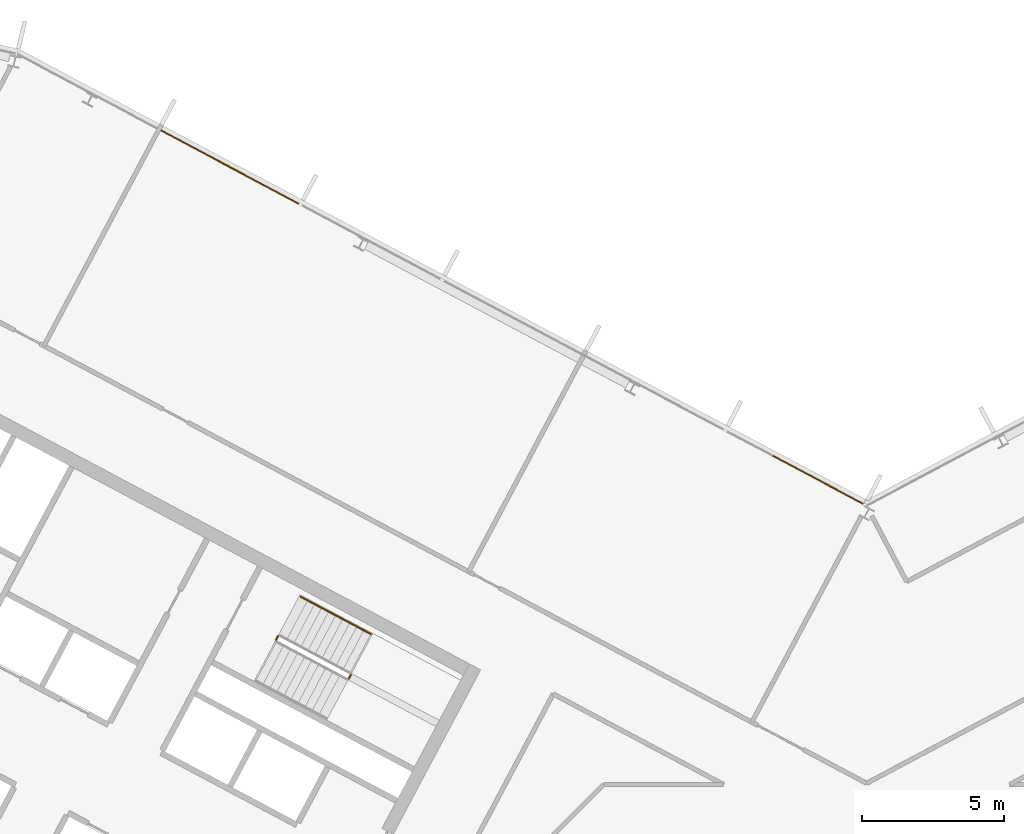
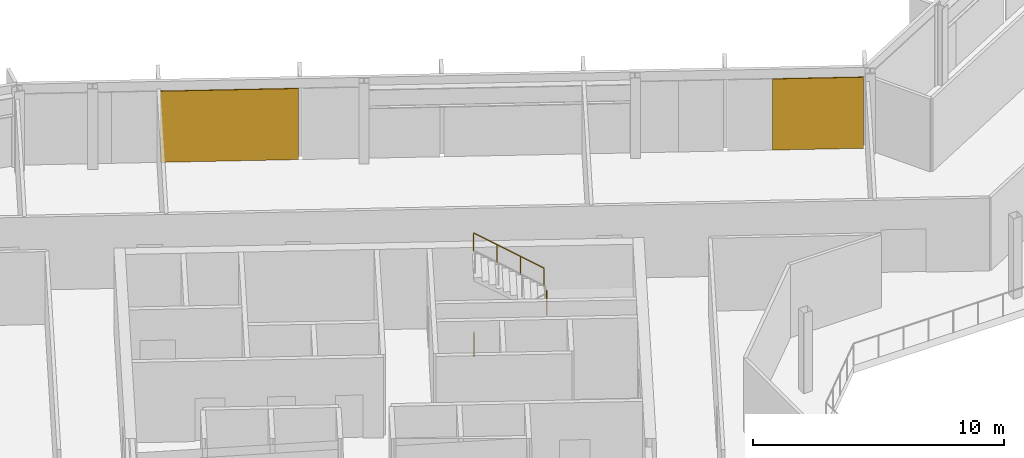
# One storey, part 23 of 26: 3 railings, 2 coverings, 1 element without a shape of its own.
"""IFC4 building model written with IfcOpenShell, lengths in metres."""

from ifc_helpers import new_model, si_unit, direction, frame, origin, origin_2d, place, context, subcontext, project, spatial, polyline, rectangle, outline, extrude, material, layer, layer_set, type_object, element, aggregate, save


model = new_model("IFC4")

# Units and contexts
model_context = context("Model", 3, precision=1e-05, world=origin(), true_north=direction((0.0, 1.0)))
body_context = subcontext(model_context, "Body", "Model", "MODEL_VIEW")
ifc_project = project(units=[si_unit("LENGTHUNIT", "METRE"), si_unit("AREAUNIT", "SQUARE_METRE"), si_unit("VOLUMEUNIT", "CUBIC_METRE"), si_unit("PLANEANGLEUNIT", "RADIAN"), si_unit("MASSUNIT", "GRAM", prefix="KILO")], contexts=[model_context])

# Site, building, storey
site_placement = place(None, origin())
site = spatial("IfcSite", under=ifc_project, at=site_placement, CompositionType="ELEMENT")
building_placement = place(site_placement, origin())
building = spatial("IfcBuilding", under=site, at=building_placement, Name="Cormorant Relay Tower", CompositionType="ELEMENT")
storey_placement = place(building_placement, frame((0.0, 0.0, 261.89990234375)))
storey = spatial("IfcBuildingStorey", under=building, at=storey_placement, Name="L58", CompositionType="ELEMENT", Elevation=261.89990234375)

# Curtain wall, coverings
ifc_material_1 = material(Name="Aluminium 6063-T6 anodised bronze", Category="aluminium")
ifc_layer_1 = layer(ifc_material_1, 0.199951171875)
ifc_layer_set_1 = layer_set([ifc_layer_1], Name="CW1 unitised bronze curtain wall with vertical fins")
curtain_wall_type = type_object("IfcCurtainWallType", Name="CW1 unitised bronze curtain wall with vertical fins", PredefinedType="NOTDEFINED", material=ifc_layer_set_1)
curtain_wall_placement = place(storey_placement, origin())
curtain_wall = element("IfcCurtainWall", 1, at=curtain_wall_placement, inside=storey, type_object=curtain_wall_type, Name="CW1 curtain wall 9", PredefinedType="NOTDEFINED")
ifc_material_2 = material(Name="Pale bronze anodised aluminium insulated panel", Category="aluminium")
ifc_layer_2 = layer(ifc_material_2, 0.0400390625)
ifc_layer_set_2 = layer_set([ifc_layer_2], Name="CW1 pale bronze insulated panel 40")
covering_type = type_object("IfcCoveringType", Name="CW1 pale bronze insulated panel 40", PredefinedType="CLADDING", material=ifc_layer_set_2)
covering_1_placement = place(storey_placement, frame((-1.718505859375, 24.720458984375, 0.0), z_axis=(0.0, 0.0, 1.0), x_axis=(-0.882947592859, 0.469471562786, 0.0)))
covering_1 = element("IfcCovering", 2, at=covering_1_placement, type_object=covering_type, Name="CW1 panel S00", PredefinedType="CLADDING", context=body_context, shape_type="SweptSolid", body=[
    extrude(rectangle(XDim=3.614013671875, YDim=0.0400390625, at=origin_2d()), origin(), (0.0, 0.0, 1.0), 3.449951171875),
])
covering_2_placement = place(storey_placement, frame((-22.39599609375, 35.714599609375, 0.0), z_axis=(0.0, 0.0, 1.0), x_axis=(-0.882947592859, 0.469471562786, 0.0)))
covering_2 = element("IfcCovering", 3, at=covering_2_placement, type_object=covering_type, Name="CW1 panel S05", PredefinedType="CLADDING", context=body_context, shape_type="SweptSolid", body=[
    extrude(rectangle(XDim=5.489013671875, YDim=0.0400390625, at=origin_2d()), origin(), (0.0, 0.0, 1.0), 3.449951171875),
])
aggregate(curtain_wall, [covering_1, covering_2])

# Railings
ifc_material_3 = material(Name="Steel ASTM A572 Grade 50 (Fy 345 MPa)", Category="steel")
railing_type_1 = type_object("IfcRailingType", Name="Stair guard 1100", PredefinedType="GUARDRAIL", material=ifc_material_3)
railing_1_placement = place(storey_placement, frame((-18.210693359375, 17.72412109375, 1.9501953125)))
element("IfcRailing", 4, at=railing_1_placement, inside=storey, type_object=railing_type_1, Name="L58 A1 stair guard 2", PredefinedType="GUARDRAIL", context=body_context, shape_type="SweptSolid", body=[
    extrude(outline(polyline([(0.022216796875, 0.00927734375), (0.00927734375, 0.022216796875), (-0.00927734375, 0.022216796875), (-0.022216796875, 0.00927734375), (-0.022216796875, -0.00927734375), (-0.00927734375, -0.022216796875), (0.00927734375, -0.022216796875), (0.022216796875, -0.00927734375), (0.022216796875, 0.00927734375)])), frame((0.0, 0.0, 1.076171875), z_axis=(0.470503732759, 0.882398003998, 0.0), x_axis=(-0.882398003998, 0.470503732759, 0.0)), (0.0, 0.0, 1.0), 0.14990234375),
    extrude(outline(polyline([(0.019287109375, 0.008056640625), (0.008056640625, 0.019287109375), (-0.008056640625, 0.019287109375), (-0.019287109375, 0.008056640625), (-0.019287109375, -0.008056640625), (-0.008056640625, -0.019287109375), (0.008056640625, -0.019287109375), (0.019287109375, -0.008056640625), (0.019287109375, 0.008056640625)])), origin(), (0.0, 0.0, 1.0), 1.052001953125),
    extrude(outline(polyline([(0.019287109375, 0.008056640625), (0.008056640625, 0.019287109375), (-0.008056640625, 0.019287109375), (-0.019287109375, 0.008056640625), (-0.019287109375, -0.008056640625), (-0.008056640625, -0.019287109375), (0.008056640625, -0.019287109375), (0.019287109375, -0.008056640625), (0.019287109375, 0.008056640625)])), frame((0.070556640625, 0.13232421875, 0.0)), (0.0, 0.0, 1.0), 1.052001953125),
])
railing_2_placement = place(storey_placement, frame((-20.771240234375, 19.08544921875, 0.0)))
element("IfcRailing", 5, at=railing_2_placement, inside=storey, type_object=railing_type_1, Name="L58 A1 stair guard 4", PredefinedType="GUARDRAIL", context=body_context, shape_type="SweptSolid", body=[
    extrude(outline(polyline([(0.022216796875, 0.00927734375), (0.00927734375, 0.022216796875), (-0.00927734375, 0.022216796875), (-0.022216796875, 0.00927734375), (-0.022216796875, -0.00927734375), (-0.00927734375, -0.022216796875), (0.00927734375, -0.022216796875), (0.022216796875, -0.00927734375), (0.022216796875, 0.00927734375)])), frame((0.0, 0.0, 1.076171875), z_axis=(0.469828648786, 0.882757634224, 0.0), x_axis=(-0.882757634224, 0.469828648786, 0.0)), (0.0, 0.0, 1.0), 0.150146484375),
    extrude(outline(polyline([(0.019287109375, 0.008056640625), (0.008056640625, 0.019287109375), (-0.008056640625, 0.019287109375), (-0.019287109375, 0.008056640625), (-0.019287109375, -0.008056640625), (-0.008056640625, -0.019287109375), (0.008056640625, -0.019287109375), (0.019287109375, -0.008056640625), (0.019287109375, 0.008056640625)])), origin(), (0.0, 0.0, 1.0), 1.052001953125),
    extrude(outline(polyline([(0.019287109375, 0.008056640625), (0.008056640625, 0.019287109375), (-0.008056640625, 0.019287109375), (-0.019287109375, 0.008056640625), (-0.019287109375, -0.008056640625), (-0.008056640625, -0.019287109375), (0.008056640625, -0.019287109375), (0.019287109375, -0.008056640625), (0.019287109375, 0.008056640625)])), frame((0.070556640625, 0.132568359375, 0.0)), (0.0, 0.0, 1.0), 1.052001953125),
])
ifc_material_4 = material(Name="Steel ASTM A572 Grade 50 (Fy 345 MPa)", Category="steel")
railing_type_2 = type_object("IfcRailingType", Name="Stair handrail 900", PredefinedType="HANDRAIL", material=ifc_material_4)
railing_3_placement = place(storey_placement, frame((-17.433349609375, 19.292724609375, 2.12744140625)))
element("IfcRailing", 6, at=railing_3_placement, inside=storey, type_object=railing_type_2, Name="L58 A1 stair handrail 2", PredefinedType="HANDRAIL", context=body_context, shape_type="SweptSolid", body=[
    extrude(outline(polyline([(0.022216796875, 0.00927734375), (0.00927734375, 0.022216796875), (-0.00927734375, 0.022216796875), (-0.022216796875, 0.00927734375), (-0.022216796875, -0.00927734375), (-0.00927734375, -0.022216796875), (0.00927734375, -0.022216796875), (0.022216796875, -0.00927734375), (0.022216796875, 0.00927734375)])), frame((0.0, 0.0, 0.8759765625), z_axis=(-0.746001213114, 0.396649272309, 0.534931345884), x_axis=(-0.469465464807, -0.882950835185, 0.0)), (0.0, 0.0, 1.0), 3.31396484375),
    extrude(outline(polyline([(0.019287109375, 0.008056640625), (0.008056640625, 0.019287109375), (-0.008056640625, 0.019287109375), (-0.019287109375, 0.008056640625), (-0.019287109375, -0.008056640625), (-0.008056640625, -0.019287109375), (0.008056640625, -0.019287109375), (0.019287109375, -0.008056640625), (0.019287109375, 0.008056640625)])), origin(), (0.0, 0.0, 1.0), 0.851806640625),
    extrude(outline(polyline([(0.019287109375, 0.008056640625), (0.008056640625, 0.019287109375), (-0.008056640625, 0.019287109375), (-0.019287109375, 0.008056640625), (-0.019287109375, -0.008056640625), (-0.008056640625, -0.019287109375), (0.008056640625, -0.019287109375), (0.019287109375, -0.008056640625), (0.019287109375, 0.008056640625)])), frame((-0.823974609375, 0.438232421875, 0.5908203125)), (0.0, 0.0, 1.0), 0.851806640625),
    extrude(outline(polyline([(0.019287109375, 0.008056640625), (0.008056640625, 0.019287109375), (-0.008056640625, 0.019287109375), (-0.019287109375, 0.008056640625), (-0.019287109375, -0.008056640625), (-0.008056640625, -0.019287109375), (0.008056640625, -0.019287109375), (0.019287109375, -0.008056640625), (0.019287109375, 0.008056640625)])), frame((-1.648193359375, 0.876220703125, 1.181884765625)), (0.0, 0.0, 1.0), 0.851806640625),
    extrude(outline(polyline([(0.019287109375, 0.008056640625), (0.008056640625, 0.019287109375), (-0.008056640625, 0.019287109375), (-0.019287109375, 0.008056640625), (-0.019287109375, -0.008056640625), (-0.008056640625, -0.019287109375), (0.008056640625, -0.019287109375), (0.019287109375, -0.008056640625), (0.019287109375, 0.008056640625)])), frame((-2.47216796875, 1.314453125, 1.772705078125)), (0.0, 0.0, 1.0), 0.851806640625),
])

save(model, "model.ifc")
